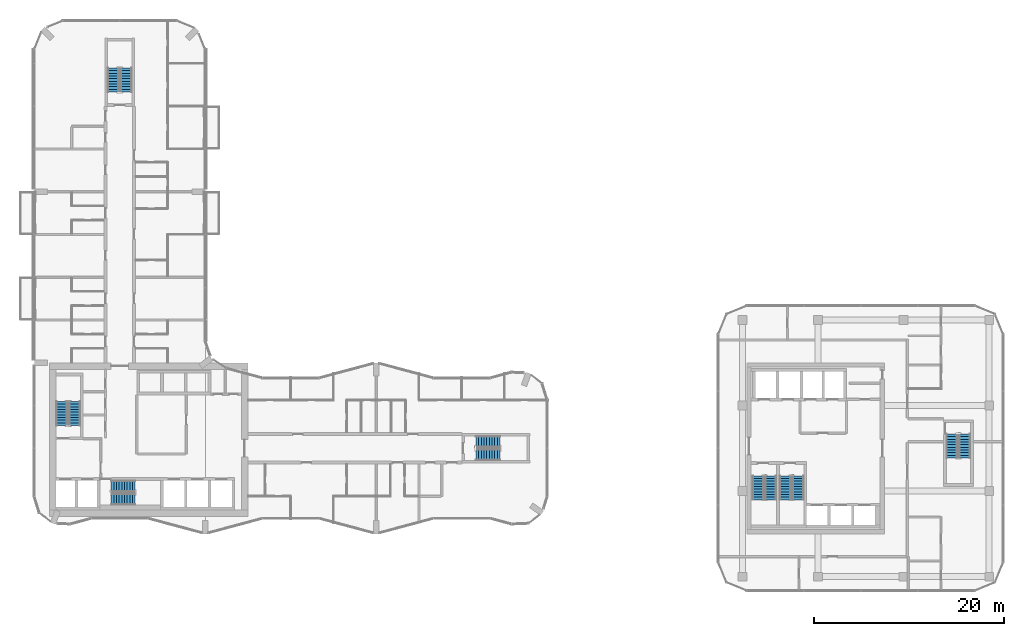
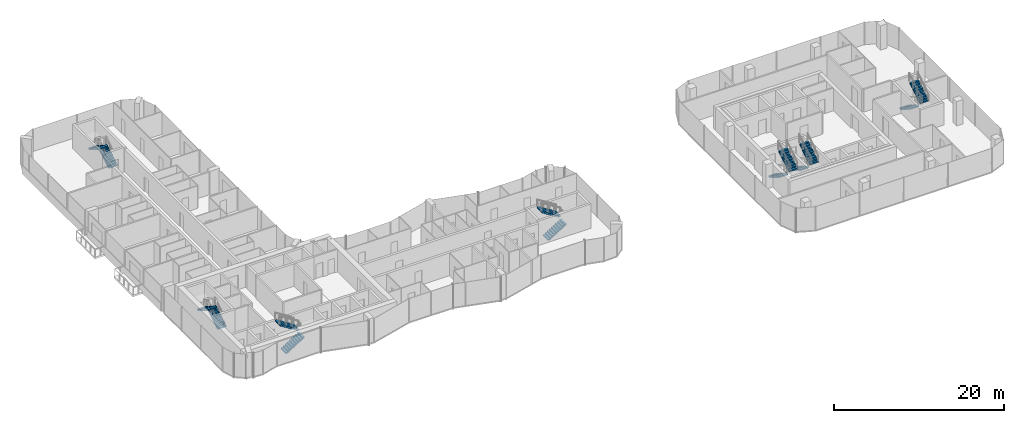
# One storey, part 20 of 23: 14 stair flights, 7 elements without a shape of their own.
"""IFC4 building model written with IfcOpenShell, lengths in metres."""

from ifc_helpers import new_model, si_unit, direction, frame, origin, place, context, subcontext, project, spatial, polyline, outline, extrude, material, type_object, element, aggregate, save


model = new_model("IFC4")

# Units and contexts
model_context = context("Model", 3, precision=1e-05, world=origin(), true_north=direction((0.0, 1.0)))
body_context = subcontext(model_context, "Body", "Model", "MODEL_VIEW")
ifc_project = project(units=[si_unit("LENGTHUNIT", "METRE"), si_unit("AREAUNIT", "SQUARE_METRE"), si_unit("VOLUMEUNIT", "CUBIC_METRE"), si_unit("PLANEANGLEUNIT", "RADIAN"), si_unit("MASSUNIT", "GRAM", prefix="KILO")], contexts=[model_context])

# Site, building, storey
site_placement = place(None, origin())
site = spatial("IfcSite", under=ifc_project, at=site_placement, CompositionType="ELEMENT")
building_placement = place(site_placement, origin())
building = spatial("IfcBuilding", under=site, at=building_placement, Name="Plateau Cross Towers", CompositionType="ELEMENT")
storey_placement = place(building_placement, frame((0.0, 0.0, 88.800048828125)))
storey = spatial("IfcBuildingStorey", under=building, at=storey_placement, Name="L22", CompositionType="ELEMENT", Elevation=88.800048828125)

# Stair, stair flights
ifc_material = material(Name="Concrete C40/50", Category="concrete")
stair_type = type_object("IfcStairType", Name="ST-TWR", PredefinedType="HALF_TURN_STAIR", material=ifc_material)
stair_1_placement = place(storey_placement, origin())
stair_1 = element("IfcStair", 1, at=stair_1_placement, inside=storey, type_object=stair_type, Name="L22 Protected Exit Stair ST-1", PredefinedType="HALF_TURN_STAIR")
stair_flight_type = type_object("IfcStairFlightType", Name="SFL-RC", PredefinedType="STRAIGHT", material=ifc_material)
stair_flight_1_placement = place(storey_placement, frame((4.25, 11.39990234375, 0.0), z_axis=(0.0, 0.0, 1.0), x_axis=(0.0, 1.0, 0.0)))
stair_flight_1 = element("IfcStairFlight", 2, at=stair_flight_1_placement, type_object=stair_flight_type, Name="ST-1 flight 1", NumberOfRisers=10, NumberOfTreads=9, PredefinedType="STRAIGHT", RiserHeight=0.175, TreadLength=0.28, context=body_context, shape_type="SweptSolid", body=[
    extrude(outline(polyline([(-0.0048828125, -0.010009765625), (-0.0048828125, 0.0), (0.0, 0.0), (0.0, 0.175048828125), (0.280029296875, 0.175048828125), (0.280029296875, 0.35009765625), (0.56005859375, 0.35009765625), (0.56005859375, 0.52490234375), (0.840087890625, 0.52490234375), (0.840087890625, 0.699951171875), (1.1201171875, 0.699951171875), (1.1201171875, 0.875), (1.39990234375, 0.875), (1.39990234375, 1.050048828125), (1.679931640625, 1.050048828125), (1.679931640625, 1.22509765625), (1.9599609375, 1.22509765625), (1.9599609375, 1.39990234375), (2.239990234375, 1.39990234375), (2.239990234375, 1.574951171875), (2.52001953125, 1.574951171875), (2.52490234375, 1.56494140625), (2.52490234375, 1.398193359375), (2.52001953125, 1.398193359375), (0.28271484375, 0.0), (0.02001953125, 0.0), (0.02001953125, -0.010009765625), (-0.0048828125, -0.010009765625)])), frame((0.0, 0.60009765625, 0.0), z_axis=(0.0, -1.0, 0.0), x_axis=(1.0, 0.0, 0.0)), (0.0, 0.0, 1.0), 1.199951171875),
])
stair_flight_2_placement = place(storey_placement, frame((2.89990234375, 13.919921875, 1.75), z_axis=(0.0, 0.0, 1.0), x_axis=(0.0, -1.0, 0.0)))
stair_flight_2 = element("IfcStairFlight", 3, at=stair_flight_2_placement, type_object=stair_flight_type, Name="ST-1 flight 2", NumberOfRisers=10, NumberOfTreads=9, PredefinedType="STRAIGHT", RiserHeight=0.175, TreadLength=0.28, context=body_context, shape_type="SweptSolid", body=[
    extrude(outline(polyline([(-0.0048828125, -0.010009765625), (-0.0048828125, 0.0), (0.0, 0.0), (0.0, 0.175048828125), (0.280029296875, 0.175048828125), (0.280029296875, 0.35009765625), (0.56005859375, 0.35009765625), (0.56005859375, 0.52490234375), (0.840087890625, 0.52490234375), (0.840087890625, 0.699951171875), (1.1201171875, 0.699951171875), (1.1201171875, 0.875), (1.39990234375, 0.875), (1.39990234375, 1.050048828125), (1.679931640625, 1.050048828125), (1.679931640625, 1.22509765625), (1.9599609375, 1.22509765625), (1.9599609375, 1.39990234375), (2.239990234375, 1.39990234375), (2.239990234375, 1.574951171875), (2.52001953125, 1.574951171875), (2.52490234375, 1.56494140625), (2.52490234375, 1.398193359375), (2.52001953125, 1.398193359375), (0.28271484375, 0.0), (0.02001953125, 0.0), (0.02001953125, -0.010009765625), (-0.0048828125, -0.010009765625)])), frame((0.0, 0.60009765625, 0.0), z_axis=(0.0, -1.0, 0.0), x_axis=(1.0, 0.0, 0.0)), (0.0, 0.0, 1.0), 1.199951171875),
])
aggregate(stair_1, [stair_flight_1, stair_flight_2])

stair_2_placement = place(storey_placement, origin())
stair_2 = element("IfcStair", 4, at=stair_2_placement, inside=storey, type_object=stair_type, Name="L22 Protected Exit Stair ST-2", PredefinedType="HALF_TURN_STAIR")
stair_flight_3_placement = place(storey_placement, frame((8.10009765625, 3.64990234375, 0.0), z_axis=(0.0, 0.0, 1.0), x_axis=(1.0, 0.0, 0.0)))
stair_flight_3 = element("IfcStairFlight", 5, at=stair_flight_3_placement, type_object=stair_flight_type, Name="ST-2 flight 1", NumberOfRisers=10, NumberOfTreads=9, PredefinedType="STRAIGHT", RiserHeight=0.175, TreadLength=0.28, context=body_context, shape_type="SweptSolid", body=[
    extrude(outline(polyline([(-0.0048828125, -0.010009765625), (-0.0048828125, 0.0), (0.0, 0.0), (0.0, 0.175048828125), (0.280029296875, 0.175048828125), (0.280029296875, 0.35009765625), (0.56005859375, 0.35009765625), (0.56005859375, 0.52490234375), (0.840087890625, 0.52490234375), (0.840087890625, 0.699951171875), (1.1201171875, 0.699951171875), (1.1201171875, 0.875), (1.39990234375, 0.875), (1.39990234375, 1.050048828125), (1.679931640625, 1.050048828125), (1.679931640625, 1.22509765625), (1.9599609375, 1.22509765625), (1.9599609375, 1.39990234375), (2.239990234375, 1.39990234375), (2.239990234375, 1.574951171875), (2.52001953125, 1.574951171875), (2.52490234375, 1.56494140625), (2.52490234375, 1.398193359375), (2.52001953125, 1.398193359375), (0.28271484375, 0.0), (0.02001953125, 0.0), (0.02001953125, -0.010009765625), (-0.0048828125, -0.010009765625)])), frame((0.0, 0.60009765625, 0.0), z_axis=(0.0, -1.0, 0.0), x_axis=(1.0, 0.0, 0.0)), (0.0, 0.0, 1.0), 1.199951171875),
])
stair_flight_4_placement = place(storey_placement, frame((10.6201171875, 5.0, 1.75), z_axis=(0.0, 0.0, 1.0), x_axis=(-1.0, 0.0, 0.0)))
stair_flight_4 = element("IfcStairFlight", 6, at=stair_flight_4_placement, type_object=stair_flight_type, Name="ST-2 flight 2", NumberOfRisers=10, NumberOfTreads=9, PredefinedType="STRAIGHT", RiserHeight=0.175, TreadLength=0.28, context=body_context, shape_type="SweptSolid", body=[
    extrude(outline(polyline([(-0.0048828125, -0.010009765625), (-0.0048828125, 0.0), (0.0, 0.0), (0.0, 0.175048828125), (0.280029296875, 0.175048828125), (0.280029296875, 0.35009765625), (0.56005859375, 0.35009765625), (0.56005859375, 0.52490234375), (0.840087890625, 0.52490234375), (0.840087890625, 0.699951171875), (1.1201171875, 0.699951171875), (1.1201171875, 0.875), (1.39990234375, 0.875), (1.39990234375, 1.050048828125), (1.679931640625, 1.050048828125), (1.679931640625, 1.22509765625), (1.9599609375, 1.22509765625), (1.9599609375, 1.39990234375), (2.239990234375, 1.39990234375), (2.239990234375, 1.574951171875), (2.52001953125, 1.574951171875), (2.52490234375, 1.56494140625), (2.52490234375, 1.398193359375), (2.52001953125, 1.398193359375), (0.28271484375, 0.0), (0.02001953125, 0.0), (0.02001953125, -0.010009765625), (-0.0048828125, -0.010009765625)])), frame((0.0, 0.60009765625, 0.0), z_axis=(0.0, -1.0, 0.0), x_axis=(1.0, 0.0, 0.0)), (0.0, 0.0, 1.0), 1.199951171875),
])
aggregate(stair_2, [stair_flight_3, stair_flight_4])

stair_3_placement = place(storey_placement, origin())
stair_3 = element("IfcStair", 7, at=stair_3_placement, inside=storey, type_object=stair_type, Name="L22 Protected Exit Stair SB-1", PredefinedType="HALF_TURN_STAIR")
stair_flight_5_placement = place(storey_placement, frame((76.199951171875, 6.10009765625, 0.0), z_axis=(0.0, 0.0, 1.0), x_axis=(0.0, -1.0, 0.0)))
stair_flight_5 = element("IfcStairFlight", 8, at=stair_flight_5_placement, type_object=stair_flight_type, Name="SB-1 flight 1", NumberOfRisers=10, NumberOfTreads=9, PredefinedType="STRAIGHT", RiserHeight=0.175, TreadLength=0.28, context=body_context, shape_type="SweptSolid", body=[
    extrude(outline(polyline([(-0.0048828125, -0.010009765625), (-0.0048828125, 0.0), (0.0, 0.0), (0.0, 0.175048828125), (0.280029296875, 0.175048828125), (0.280029296875, 0.35009765625), (0.56005859375, 0.35009765625), (0.56005859375, 0.52490234375), (0.840087890625, 0.52490234375), (0.840087890625, 0.699951171875), (1.1201171875, 0.699951171875), (1.1201171875, 0.875), (1.39990234375, 0.875), (1.39990234375, 1.050048828125), (1.679931640625, 1.050048828125), (1.679931640625, 1.22509765625), (1.9599609375, 1.22509765625), (1.9599609375, 1.39990234375), (2.239990234375, 1.39990234375), (2.239990234375, 1.574951171875), (2.52001953125, 1.574951171875), (2.52490234375, 1.56494140625), (2.52490234375, 1.398193359375), (2.52001953125, 1.398193359375), (0.28271484375, 0.0), (0.02001953125, 0.0), (0.02001953125, -0.010009765625), (-0.0048828125, -0.010009765625)])), frame((0.0, 0.60009765625, 0.0), z_axis=(0.0, -1.0, 0.0), x_axis=(1.0, 0.0, 0.0)), (0.0, 0.0, 1.0), 1.199951171875),
])
stair_flight_6_placement = place(storey_placement, frame((77.550048828125, 3.580078125, 1.75), z_axis=(0.0, 0.0, 1.0), x_axis=(0.0, 1.0, 0.0)))
stair_flight_6 = element("IfcStairFlight", 9, at=stair_flight_6_placement, type_object=stair_flight_type, Name="SB-1 flight 2", NumberOfRisers=10, NumberOfTreads=9, PredefinedType="STRAIGHT", RiserHeight=0.175, TreadLength=0.28, context=body_context, shape_type="SweptSolid", body=[
    extrude(outline(polyline([(-0.0048828125, -0.010009765625), (-0.0048828125, 0.0), (0.0, 0.0), (0.0, 0.175048828125), (0.280029296875, 0.175048828125), (0.280029296875, 0.35009765625), (0.56005859375, 0.35009765625), (0.56005859375, 0.52490234375), (0.840087890625, 0.52490234375), (0.840087890625, 0.699951171875), (1.1201171875, 0.699951171875), (1.1201171875, 0.875), (1.39990234375, 0.875), (1.39990234375, 1.050048828125), (1.679931640625, 1.050048828125), (1.679931640625, 1.22509765625), (1.9599609375, 1.22509765625), (1.9599609375, 1.39990234375), (2.239990234375, 1.39990234375), (2.239990234375, 1.574951171875), (2.52001953125, 1.574951171875), (2.52490234375, 1.56494140625), (2.52490234375, 1.398193359375), (2.52001953125, 1.398193359375), (0.28271484375, 0.0), (0.02001953125, 0.0), (0.02001953125, -0.010009765625), (-0.0048828125, -0.010009765625)])), frame((0.0, 0.60009765625, 0.0), z_axis=(0.0, -1.0, 0.0), x_axis=(1.0, 0.0, 0.0)), (0.0, 0.0, 1.0), 1.199951171875),
])
aggregate(stair_3, [stair_flight_5, stair_flight_6])

stair_4_placement = place(storey_placement, origin())
stair_4 = element("IfcStair", 10, at=stair_4_placement, inside=storey, type_object=stair_type, Name="L22 Protected Exit Stair SB-2", PredefinedType="HALF_TURN_STAIR")
stair_flight_7_placement = place(storey_placement, frame((79.050048828125, 6.10009765625, 0.0), z_axis=(0.0, 0.0, 1.0), x_axis=(0.0, -1.0, 0.0)))
stair_flight_7 = element("IfcStairFlight", 11, at=stair_flight_7_placement, type_object=stair_flight_type, Name="SB-2 flight 1", NumberOfRisers=10, NumberOfTreads=9, PredefinedType="STRAIGHT", RiserHeight=0.175, TreadLength=0.28, context=body_context, shape_type="SweptSolid", body=[
    extrude(outline(polyline([(-0.0048828125, -0.010009765625), (-0.0048828125, 0.0), (0.0, 0.0), (0.0, 0.175048828125), (0.280029296875, 0.175048828125), (0.280029296875, 0.35009765625), (0.56005859375, 0.35009765625), (0.56005859375, 0.52490234375), (0.840087890625, 0.52490234375), (0.840087890625, 0.699951171875), (1.1201171875, 0.699951171875), (1.1201171875, 0.875), (1.39990234375, 0.875), (1.39990234375, 1.050048828125), (1.679931640625, 1.050048828125), (1.679931640625, 1.22509765625), (1.9599609375, 1.22509765625), (1.9599609375, 1.39990234375), (2.239990234375, 1.39990234375), (2.239990234375, 1.574951171875), (2.52001953125, 1.574951171875), (2.52490234375, 1.56494140625), (2.52490234375, 1.398193359375), (2.52001953125, 1.398193359375), (0.28271484375, 0.0), (0.02001953125, 0.0), (0.02001953125, -0.010009765625), (-0.0048828125, -0.010009765625)])), frame((0.0, 0.60009765625, 0.0), z_axis=(0.0, -1.0, 0.0), x_axis=(1.0, 0.0, 0.0)), (0.0, 0.0, 1.0), 1.199951171875),
])
stair_flight_8_placement = place(storey_placement, frame((80.39990234375, 3.580078125, 1.75), z_axis=(0.0, 0.0, 1.0), x_axis=(0.0, 1.0, 0.0)))
stair_flight_8 = element("IfcStairFlight", 12, at=stair_flight_8_placement, type_object=stair_flight_type, Name="SB-2 flight 2", NumberOfRisers=10, NumberOfTreads=9, PredefinedType="STRAIGHT", RiserHeight=0.175, TreadLength=0.28, context=body_context, shape_type="SweptSolid", body=[
    extrude(outline(polyline([(-0.0048828125, -0.010009765625), (-0.0048828125, 0.0), (0.0, 0.0), (0.0, 0.175048828125), (0.280029296875, 0.175048828125), (0.280029296875, 0.35009765625), (0.56005859375, 0.35009765625), (0.56005859375, 0.52490234375), (0.840087890625, 0.52490234375), (0.840087890625, 0.699951171875), (1.1201171875, 0.699951171875), (1.1201171875, 0.875), (1.39990234375, 0.875), (1.39990234375, 1.050048828125), (1.679931640625, 1.050048828125), (1.679931640625, 1.22509765625), (1.9599609375, 1.22509765625), (1.9599609375, 1.39990234375), (2.239990234375, 1.39990234375), (2.239990234375, 1.574951171875), (2.52001953125, 1.574951171875), (2.52490234375, 1.56494140625), (2.52490234375, 1.398193359375), (2.52001953125, 1.398193359375), (0.28271484375, 0.0), (0.02001953125, 0.0), (0.02001953125, -0.010009765625), (-0.0048828125, -0.010009765625)])), frame((0.0, 0.60009765625, 0.0), z_axis=(0.0, -1.0, 0.0), x_axis=(1.0, 0.0, 0.0)), (0.0, 0.0, 1.0), 1.199951171875),
])
aggregate(stair_4, [stair_flight_7, stair_flight_8])

stair_5_placement = place(storey_placement, origin())
stair_5 = element("IfcStair", 13, at=stair_5_placement, inside=storey, type_object=stair_type, Name="L22 Protected Exit Stair SB-3", PredefinedType="HALF_TURN_STAIR")
stair_flight_9_placement = place(storey_placement, frame((96.60009765625, 10.5, 0.0), z_axis=(0.0, 0.0, 1.0), x_axis=(0.0, -1.0, 0.0)))
stair_flight_9 = element("IfcStairFlight", 14, at=stair_flight_9_placement, type_object=stair_flight_type, Name="SB-3 flight 1", NumberOfRisers=10, NumberOfTreads=9, PredefinedType="STRAIGHT", RiserHeight=0.175, TreadLength=0.28, context=body_context, shape_type="SweptSolid", body=[
    extrude(outline(polyline([(-0.0048828125, -0.010009765625), (-0.0048828125, 0.0), (0.0, 0.0), (0.0, 0.175048828125), (0.280029296875, 0.175048828125), (0.280029296875, 0.35009765625), (0.56005859375, 0.35009765625), (0.56005859375, 0.52490234375), (0.840087890625, 0.52490234375), (0.840087890625, 0.699951171875), (1.1201171875, 0.699951171875), (1.1201171875, 0.875), (1.39990234375, 0.875), (1.39990234375, 1.050048828125), (1.679931640625, 1.050048828125), (1.679931640625, 1.22509765625), (1.9599609375, 1.22509765625), (1.9599609375, 1.39990234375), (2.239990234375, 1.39990234375), (2.239990234375, 1.574951171875), (2.52001953125, 1.574951171875), (2.52490234375, 1.56494140625), (2.52490234375, 1.398193359375), (2.52001953125, 1.398193359375), (0.28271484375, 0.0), (0.02001953125, 0.0), (0.02001953125, -0.010009765625), (-0.0048828125, -0.010009765625)])), frame((0.0, 0.60009765625, 0.0), z_axis=(0.0, -1.0, 0.0), x_axis=(1.0, 0.0, 0.0)), (0.0, 0.0, 1.0), 1.199951171875),
])
stair_flight_10_placement = place(storey_placement, frame((97.949951171875, 7.97998046875, 1.75), z_axis=(0.0, 0.0, 1.0), x_axis=(0.0, 1.0, 0.0)))
stair_flight_10 = element("IfcStairFlight", 15, at=stair_flight_10_placement, type_object=stair_flight_type, Name="SB-3 flight 2", NumberOfRisers=10, NumberOfTreads=9, PredefinedType="STRAIGHT", RiserHeight=0.175, TreadLength=0.28, context=body_context, shape_type="SweptSolid", body=[
    extrude(outline(polyline([(-0.0048828125, -0.010009765625), (-0.0048828125, 0.0), (0.0, 0.0), (0.0, 0.175048828125), (0.280029296875, 0.175048828125), (0.280029296875, 0.35009765625), (0.56005859375, 0.35009765625), (0.56005859375, 0.52490234375), (0.840087890625, 0.52490234375), (0.840087890625, 0.699951171875), (1.1201171875, 0.699951171875), (1.1201171875, 0.875), (1.39990234375, 0.875), (1.39990234375, 1.050048828125), (1.679931640625, 1.050048828125), (1.679931640625, 1.22509765625), (1.9599609375, 1.22509765625), (1.9599609375, 1.39990234375), (2.239990234375, 1.39990234375), (2.239990234375, 1.574951171875), (2.52001953125, 1.574951171875), (2.52490234375, 1.56494140625), (2.52490234375, 1.398193359375), (2.52001953125, 1.398193359375), (0.28271484375, 0.0), (0.02001953125, 0.0), (0.02001953125, -0.010009765625), (-0.0048828125, -0.010009765625)])), frame((0.0, 0.60009765625, 0.0), z_axis=(0.0, -1.0, 0.0), x_axis=(1.0, 0.0, 0.0)), (0.0, 0.0, 1.0), 1.199951171875),
])
aggregate(stair_5, [stair_flight_9, stair_flight_10])

stair_6_placement = place(storey_placement, origin())
stair_6 = element("IfcStair", 16, at=stair_6_placement, inside=storey, type_object=stair_type, Name="L22 Protected Exit Stair E", PredefinedType="HALF_TURN_STAIR")
stair_flight_11_placement = place(storey_placement, frame((46.5, 8.324951171875, 0.0), z_axis=(0.0, 0.0, 1.0), x_axis=(1.0, 0.0, 0.0)))
stair_flight_11 = element("IfcStairFlight", 17, at=stair_flight_11_placement, type_object=stair_flight_type, Name="ES-E flight 1", NumberOfRisers=10, NumberOfTreads=9, PredefinedType="STRAIGHT", RiserHeight=0.175, TreadLength=0.28, context=body_context, shape_type="SweptSolid", body=[
    extrude(outline(polyline([(-0.0048828125, -0.010009765625), (-0.0048828125, 0.0), (0.0, 0.0), (0.0, 0.175048828125), (0.280029296875, 0.175048828125), (0.280029296875, 0.35009765625), (0.56005859375, 0.35009765625), (0.56005859375, 0.52490234375), (0.840087890625, 0.52490234375), (0.840087890625, 0.699951171875), (1.1201171875, 0.699951171875), (1.1201171875, 0.875), (1.39990234375, 0.875), (1.39990234375, 1.050048828125), (1.679931640625, 1.050048828125), (1.679931640625, 1.22509765625), (1.9599609375, 1.22509765625), (1.9599609375, 1.39990234375), (2.239990234375, 1.39990234375), (2.239990234375, 1.574951171875), (2.52001953125, 1.574951171875), (2.52490234375, 1.56494140625), (2.52490234375, 1.398193359375), (2.52001953125, 1.398193359375), (0.28271484375, 0.0), (0.02001953125, 0.0), (0.02001953125, -0.010009765625), (-0.0048828125, -0.010009765625)])), frame((0.0, 0.60009765625, 0.0), z_axis=(0.0, -1.0, 0.0), x_axis=(1.0, 0.0, 0.0)), (0.0, 0.0, 1.0), 1.199951171875),
])
stair_flight_12_placement = place(storey_placement, frame((49.02001953125, 9.675048828125, 1.75), z_axis=(0.0, 0.0, 1.0), x_axis=(-1.0, 0.0, 0.0)))
stair_flight_12 = element("IfcStairFlight", 18, at=stair_flight_12_placement, type_object=stair_flight_type, Name="ES-E flight 2", NumberOfRisers=10, NumberOfTreads=9, PredefinedType="STRAIGHT", RiserHeight=0.175, TreadLength=0.28, context=body_context, shape_type="SweptSolid", body=[
    extrude(outline(polyline([(-0.0048828125, -0.010009765625), (-0.0048828125, 0.0), (0.0, 0.0), (0.0, 0.175048828125), (0.280029296875, 0.175048828125), (0.280029296875, 0.35009765625), (0.56005859375, 0.35009765625), (0.56005859375, 0.52490234375), (0.840087890625, 0.52490234375), (0.840087890625, 0.699951171875), (1.1201171875, 0.699951171875), (1.1201171875, 0.875), (1.39990234375, 0.875), (1.39990234375, 1.050048828125), (1.679931640625, 1.050048828125), (1.679931640625, 1.22509765625), (1.9599609375, 1.22509765625), (1.9599609375, 1.39990234375), (2.239990234375, 1.39990234375), (2.239990234375, 1.574951171875), (2.52001953125, 1.574951171875), (2.52490234375, 1.56494140625), (2.52490234375, 1.398193359375), (2.52001953125, 1.398193359375), (0.28271484375, 0.0), (0.02001953125, 0.0), (0.02001953125, -0.010009765625), (-0.0048828125, -0.010009765625)])), frame((0.0, 0.60009765625, 0.0), z_axis=(0.0, -1.0, 0.0), x_axis=(1.0, 0.0, 0.0)), (0.0, 0.0, 1.0), 1.199951171875),
])
aggregate(stair_6, [stair_flight_11, stair_flight_12])

stair_7_placement = place(storey_placement, origin())
stair_7 = element("IfcStair", 19, at=stair_7_placement, inside=storey, type_object=stair_type, Name="L22 Protected Exit Stair N", PredefinedType="HALF_TURN_STAIR")
stair_flight_13_placement = place(storey_placement, frame((9.675048828125, 46.5, 0.0), z_axis=(0.0, 0.0, 1.0), x_axis=(0.0, 1.0, 0.0)))
stair_flight_13 = element("IfcStairFlight", 20, at=stair_flight_13_placement, type_object=stair_flight_type, Name="ES-N flight 1", NumberOfRisers=10, NumberOfTreads=9, PredefinedType="STRAIGHT", RiserHeight=0.175, TreadLength=0.28, context=body_context, shape_type="SweptSolid", body=[
    extrude(outline(polyline([(-0.0048828125, -0.010009765625), (-0.0048828125, 0.0), (0.0, 0.0), (0.0, 0.175048828125), (0.280029296875, 0.175048828125), (0.280029296875, 0.35009765625), (0.56005859375, 0.35009765625), (0.56005859375, 0.52490234375), (0.840087890625, 0.52490234375), (0.840087890625, 0.699951171875), (1.1201171875, 0.699951171875), (1.1201171875, 0.875), (1.39990234375, 0.875), (1.39990234375, 1.050048828125), (1.679931640625, 1.050048828125), (1.679931640625, 1.22509765625), (1.9599609375, 1.22509765625), (1.9599609375, 1.39990234375), (2.239990234375, 1.39990234375), (2.239990234375, 1.574951171875), (2.52001953125, 1.574951171875), (2.52490234375, 1.56494140625), (2.52490234375, 1.398193359375), (2.52001953125, 1.398193359375), (0.28271484375, 0.0), (0.02001953125, 0.0), (0.02001953125, -0.010009765625), (-0.0048828125, -0.010009765625)])), frame((0.0, 0.60009765625, 0.0), z_axis=(0.0, -1.0, 0.0), x_axis=(1.0, 0.0, 0.0)), (0.0, 0.0, 1.0), 1.199951171875),
])
stair_flight_14_placement = place(storey_placement, frame((8.324951171875, 49.02001953125, 1.75), z_axis=(0.0, 0.0, 1.0), x_axis=(0.0, -1.0, 0.0)))
stair_flight_14 = element("IfcStairFlight", 21, at=stair_flight_14_placement, type_object=stair_flight_type, Name="ES-N flight 2", NumberOfRisers=10, NumberOfTreads=9, PredefinedType="STRAIGHT", RiserHeight=0.175, TreadLength=0.28, context=body_context, shape_type="SweptSolid", body=[
    extrude(outline(polyline([(-0.0048828125, -0.010009765625), (-0.0048828125, 0.0), (0.0, 0.0), (0.0, 0.175048828125), (0.280029296875, 0.175048828125), (0.280029296875, 0.35009765625), (0.56005859375, 0.35009765625), (0.56005859375, 0.52490234375), (0.840087890625, 0.52490234375), (0.840087890625, 0.699951171875), (1.1201171875, 0.699951171875), (1.1201171875, 0.875), (1.39990234375, 0.875), (1.39990234375, 1.050048828125), (1.679931640625, 1.050048828125), (1.679931640625, 1.22509765625), (1.9599609375, 1.22509765625), (1.9599609375, 1.39990234375), (2.239990234375, 1.39990234375), (2.239990234375, 1.574951171875), (2.52001953125, 1.574951171875), (2.52490234375, 1.56494140625), (2.52490234375, 1.398193359375), (2.52001953125, 1.398193359375), (0.28271484375, 0.0), (0.02001953125, 0.0), (0.02001953125, -0.010009765625), (-0.0048828125, -0.010009765625)])), frame((0.0, 0.60009765625, 0.0), z_axis=(0.0, -1.0, 0.0), x_axis=(1.0, 0.0, 0.0)), (0.0, 0.0, 1.0), 1.199951171875),
])
aggregate(stair_7, [stair_flight_13, stair_flight_14])

save(model, "model.ifc")
